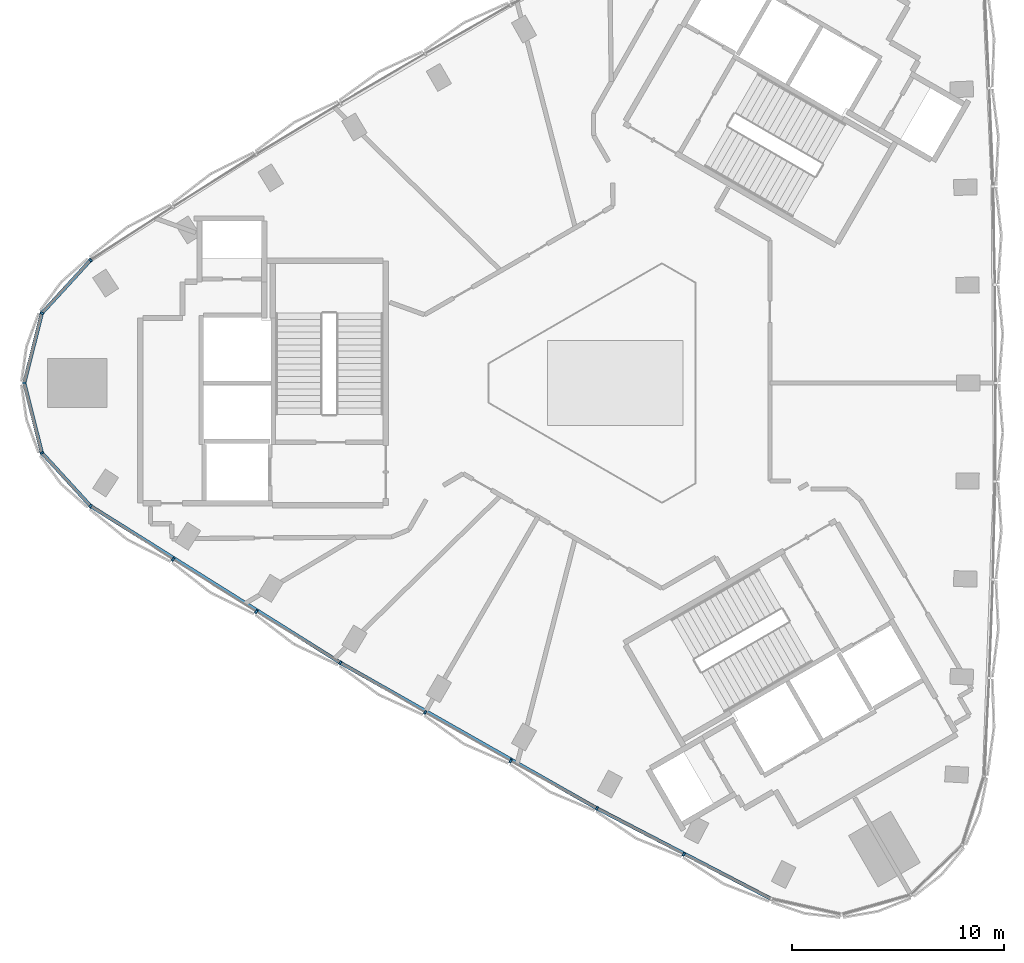
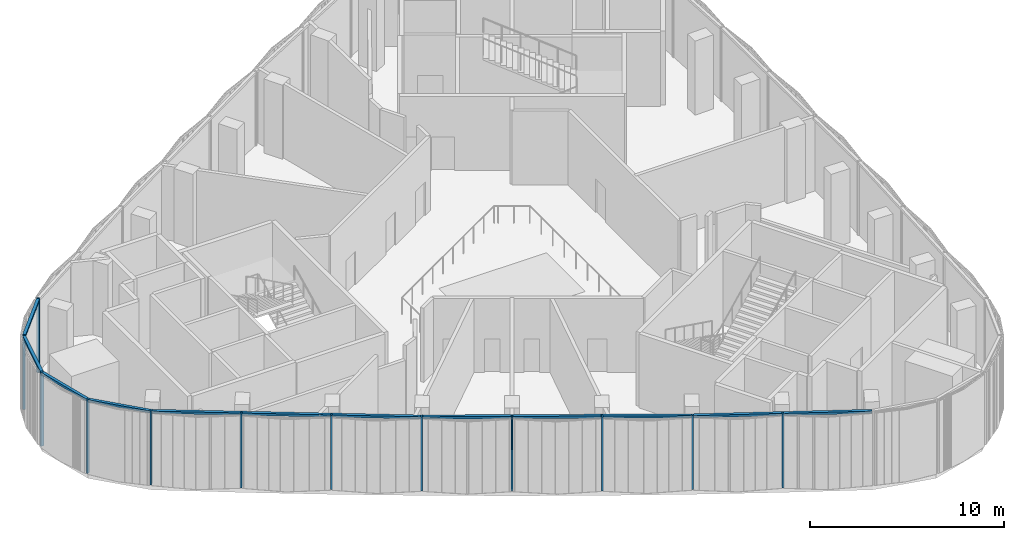
# One storey, part 2 of 15: 19 members, 2 elements without a shape of their own.
"""IFC4 building model written with IfcOpenShell, lengths in metres."""

from ifc_helpers import new_model, si_unit, direction, frame, origin, origin_2d, place, context, subcontext, project, spatial, rectangle, extrude, material, material_profile, profile_set, type_object, element, aggregate, save


model = new_model("IFC4")

# Units and contexts
model_context = context("Model", 3, precision=1e-05, world=origin(), true_north=direction((0.0, 1.0)))
body_context = subcontext(model_context, "Body", "Model", "MODEL_VIEW")
ifc_project = project(units=[si_unit("LENGTHUNIT", "METRE"), si_unit("AREAUNIT", "SQUARE_METRE"), si_unit("VOLUMEUNIT", "CUBIC_METRE"), si_unit("PLANEANGLEUNIT", "RADIAN"), si_unit("MASSUNIT", "GRAM", prefix="KILO")], contexts=[model_context])

# Site, building, storey
site_placement = place(None, origin())
site = spatial("IfcSite", under=ifc_project, at=site_placement, CompositionType="ELEMENT")
building_placement = place(site_placement, origin())
building = spatial("IfcBuilding", under=site, at=building_placement, Name="Tamra Quay Hotel Tower", CompositionType="ELEMENT")
storey_placement = place(building_placement, frame((0.0, 0.0, 216.39990234375)))
storey = spatial("IfcBuildingStorey", under=building, at=storey_placement, Name="L54", CompositionType="ELEMENT", Elevation=216.39990234375)

# Curtain wall, members
ifc_material = material(Name="Aluminium 6063 anodised dark grey", Category="aluminium")
curtain_wall_type_1 = type_object("IfcCurtainWallType", Name="CW2 CURTAIN WALL", PredefinedType="NOTDEFINED", material=ifc_material)
curtain_wall_1_placement = place(storey_placement, origin())
curtain_wall_1 = element("IfcCurtainWall", 1, at=curtain_wall_1_placement, inside=storey, type_object=curtain_wall_type_1, Name="CW2 north-west face L54", PredefinedType="NOTDEFINED")
ifc_material_profile_1 = material_profile(ifc_material, rectangle(XDim=0.169921875, YDim=0.10009765625, at=origin_2d()), Name="MULLION 100X170")
ifc_profile_set_1 = profile_set([ifc_material_profile_1], Name="Aluminium 6063 anodised dark grey")
member_type_1 = type_object("IfcMemberType", Name="MULLION CW2 Z5", PredefinedType="MULLION", material=ifc_profile_set_1)
member_1_placement = place(storey_placement, frame((-24.791015625, 5.8056640625, 0.0), z_axis=(0.0, 0.0, 1.0), x_axis=(-0.645846542905, 0.763467250782, 0.0)))
member_1 = element("IfcMember", 2, at=member_1_placement, type_object=member_type_1, Name="CW2 mullion L54.NW.9", PredefinedType="MULLION", context=body_context, shape_type="SweptSolid", body=[
    extrude(rectangle(XDim=0.169921875, YDim=0.10009765625, at=origin_2d()), origin(), (0.0, 0.0, 1.0), 4.650146484375),
])
member_2_placement = place(storey_placement, frame((-27.088134765625, 3.297607421875, 0.0), z_axis=(0.0, 0.0, 1.0), x_axis=(-0.880266804781, 0.474479032624, 0.0)))
member_2 = element("IfcMember", 3, at=member_2_placement, type_object=member_type_1, Name="CW2 mullion L54.NW.10", PredefinedType="MULLION", context=body_context, shape_type="SweptSolid", body=[
    extrude(rectangle(XDim=0.169921875, YDim=0.10009765625, at=origin_2d()), origin(), (0.0, 0.0, 1.0), 4.650146484375),
])
member_3_placement = place(storey_placement, frame((-27.92041015625, 0.0, 0.0), z_axis=(0.0, 0.0, 1.0), x_axis=(-1.0, 0.0, 0.0)))
member_3 = element("IfcMember", 4, at=member_3_placement, type_object=member_type_1, Name="CW2 mullion L54.NW.11", PredefinedType="MULLION", context=body_context, shape_type="SweptSolid", body=[
    extrude(rectangle(XDim=0.169921875, YDim=0.10009765625, at=origin_2d()), origin(), (0.0, 0.0, 1.0), 4.650146484375),
])
member_4_placement = place(storey_placement, frame((-27.088134765625, -3.297607421875, 0.0), z_axis=(0.0, 0.0, 1.0), x_axis=(-0.880266804781, -0.474479032624, 0.0)))
member_4 = element("IfcMember", 5, at=member_4_placement, type_object=member_type_1, Name="CW2 mullion L54.NW.12", PredefinedType="MULLION", context=body_context, shape_type="SweptSolid", body=[
    extrude(rectangle(XDim=0.169921875, YDim=0.10009765625, at=origin_2d()), origin(), (0.0, 0.0, 1.0), 4.650146484375),
])

curtain_wall_type_2 = type_object("IfcCurtainWallType", Name="CW3 CURTAIN WALL", PredefinedType="NOTDEFINED", material=ifc_material)
curtain_wall_2_placement = place(storey_placement, origin())
curtain_wall_2 = element("IfcCurtainWall", 6, at=curtain_wall_2_placement, inside=storey, type_object=curtain_wall_type_2, Name="CW3 south-west face L54", PredefinedType="NOTDEFINED")
ifc_material_profile_2 = material_profile(ifc_material, rectangle(XDim=0.169921875, YDim=0.10009765625, at=origin_2d()), Name="MULLION 100X170")
ifc_profile_set_2 = profile_set([ifc_material_profile_2], Name="Aluminium 6063 anodised dark grey")
member_type_2 = type_object("IfcMemberType", Name="MULLION CW3 Z5", PredefinedType="MULLION", material=ifc_profile_set_2)
member_5_placement = place(storey_placement, frame((-24.791015625, -5.8056640625, 0.0), z_axis=(0.0, 0.0, 1.0), x_axis=(-0.645846542905, -0.763467250782, 0.0)))
member_5 = element("IfcMember", 7, at=member_5_placement, type_object=member_type_2, Name="CW3 mullion L54.SW.1", PredefinedType="MULLION", context=body_context, shape_type="SweptSolid", body=[
    extrude(rectangle(XDim=0.169921875, YDim=0.10009765625, at=origin_2d()), origin(), (0.0, 0.0, 1.0), 4.650146484375),
])
member_6_placement = place(storey_placement, frame((-20.893798828125, -8.331298828125, 0.0), z_axis=(0.0, 0.0, 1.0), x_axis=(-0.537684519806, -0.843146106651, 0.0)))
member_6 = element("IfcMember", 8, at=member_6_placement, type_object=member_type_2, Name="CW3 mullion L54.SW.2", PredefinedType="MULLION", context=body_context, shape_type="SweptSolid", body=[
    extrude(rectangle(XDim=0.169921875, YDim=0.10009765625, at=origin_2d()), origin(), (0.0, 0.0, 1.0), 4.650146484375),
])
member_7_placement = place(storey_placement, frame((-16.95947265625, -10.7998046875, 0.0), z_axis=(0.0, 0.0, 1.0), x_axis=(-0.525249013277, -0.850948573094, 0.0)))
member_7 = element("IfcMember", 9, at=member_7_placement, type_object=member_type_2, Name="CW3 mullion L54.SW.3", PredefinedType="MULLION", context=body_context, shape_type="SweptSolid", body=[
    extrude(rectangle(XDim=0.169921875, YDim=0.10009765625, at=origin_2d()), origin(), (0.0, 0.0, 1.0), 4.650146484375),
])
member_8_placement = place(storey_placement, frame((-12.98974609375, -13.2099609375, 0.0), z_axis=(0.0, 0.0, 1.0), x_axis=(-0.512687472932, -0.858575305432, 0.0)))
member_8 = element("IfcMember", 10, at=member_8_placement, type_object=member_type_2, Name="CW3 mullion L54.SW.4", PredefinedType="MULLION", context=body_context, shape_type="SweptSolid", body=[
    extrude(rectangle(XDim=0.169921875, YDim=0.10009765625, at=origin_2d()), origin(), (0.0, 0.0, 1.0), 4.650146484375),
])
member_9_placement = place(storey_placement, frame((-8.984619140625, -15.56201171875, 0.0), z_axis=(0.0, 0.0, 1.0), x_axis=(-0.5, -0.866025403784, 0.0)))
member_9 = element("IfcMember", 11, at=member_9_placement, type_object=member_type_2, Name="CW3 mullion L54.SW.5", PredefinedType="MULLION", context=body_context, shape_type="SweptSolid", body=[
    extrude(rectangle(XDim=0.169921875, YDim=0.10009765625, at=origin_2d()), origin(), (0.0, 0.0, 1.0), 4.650146484375),
])
member_10_placement = place(storey_placement, frame((-4.9453125, -17.8544921875, 0.0), z_axis=(0.0, 0.0, 1.0), x_axis=(-0.4872042891, -0.873288028478, 0.0)))
member_10 = element("IfcMember", 12, at=member_10_placement, type_object=member_type_2, Name="CW3 mullion L54.SW.6", PredefinedType="MULLION", context=body_context, shape_type="SweptSolid", body=[
    extrude(rectangle(XDim=0.169921875, YDim=0.10009765625, at=origin_2d()), origin(), (0.0, 0.0, 1.0), 4.650146484375),
])
member_11_placement = place(storey_placement, frame((-0.873291015625, -20.087158203125, 0.0), z_axis=(0.0, 0.0, 1.0), x_axis=(-0.474318574975, -0.880353275358, 0.0)))
member_11 = element("IfcMember", 13, at=member_11_placement, type_object=member_type_2, Name="CW3 mullion L54.SW.7", PredefinedType="MULLION", context=body_context, shape_type="SweptSolid", body=[
    extrude(rectangle(XDim=0.169921875, YDim=0.10009765625, at=origin_2d()), origin(), (0.0, 0.0, 1.0), 4.650146484375),
])
member_12_placement = place(storey_placement, frame((3.231689453125, -22.26025390625, 0.0), z_axis=(0.0, 0.0, 1.0), x_axis=(-0.461343687559, -0.887221506699, 0.0)))
member_12 = element("IfcMember", 14, at=member_12_placement, type_object=member_type_2, Name="CW3 mullion L54.SW.8", PredefinedType="MULLION", context=body_context, shape_type="SweptSolid", body=[
    extrude(rectangle(XDim=0.169921875, YDim=0.10009765625, at=origin_2d()), origin(), (0.0, 0.0, 1.0), 4.650146484375),
])

# Member
ifc_material_profile_3 = material_profile(ifc_material, rectangle(XDim=0.169921875, YDim=0.139892578125, at=origin_2d()), Name="TRANSOM 170X140")
ifc_profile_set_3 = profile_set([ifc_material_profile_3], Name="Aluminium 6063 anodised dark grey")
member_type_3 = type_object("IfcMemberType", Name="TRANSOM CW2 Z5", PredefinedType="USERDEFINED", material=ifc_profile_set_3)
member_13_placement = place(storey_placement, frame((-24.824951171875, 5.768798828125, 4.580078125), z_axis=(-0.675399698541, -0.737451860945, 0.0), x_axis=(0.737451860945, -0.675399698541, 0.0)))
member_13 = element("IfcMember", 15, at=member_13_placement, type_object=member_type_3, Name="CW2 transom L54.NW.9", ObjectType="TRANSOM", PredefinedType="USERDEFINED", context=body_context, shape_type="SweptSolid", body=[
    extrude(rectangle(XDim=0.169921875, YDim=0.139892578125, at=origin_2d()), origin(), (0.0, 0.0, 1.0), 3.301025390625),
])

member_14_placement = place(storey_placement, frame((-27.100341796875, 3.249267578125, 4.580078125), z_axis=(-0.244727648368, -0.969591861622, 0.0), x_axis=(0.969591861622, -0.244727648368, 0.0)))
member_14 = element("IfcMember", 16, at=member_14_placement, type_object=member_type_3, Name="CW2 transom L54.NW.10", ObjectType="TRANSOM", PredefinedType="USERDEFINED", context=body_context, shape_type="SweptSolid", body=[
    extrude(rectangle(XDim=0.169921875, YDim=0.139892578125, at=origin_2d()), origin(), (0.0, 0.0, 1.0), 3.301025390625),
])

member_15_placement = place(storey_placement, frame((-27.908203125, -0.048583984375, 4.580078125), z_axis=(0.244727648368, -0.969591861622, 0.0), x_axis=(0.969591861622, 0.244727648368, 0.0)))
member_15 = element("IfcMember", 17, at=member_15_placement, type_object=member_type_3, Name="CW2 transom L54.NW.11", ObjectType="TRANSOM", PredefinedType="USERDEFINED", context=body_context, shape_type="SweptSolid", body=[
    extrude(rectangle(XDim=0.169921875, YDim=0.139892578125, at=origin_2d()), origin(), (0.0, 0.0, 1.0), 3.301025390625),
])

member_16_placement = place(storey_placement, frame((-27.054443359375, -3.33447265625, 4.580078125), z_axis=(0.675399698541, -0.737451860945, 0.0), x_axis=(0.737451860945, 0.675399698541, 0.0)))
member_16 = element("IfcMember", 18, at=member_16_placement, type_object=member_type_3, Name="CW2 transom L54.NW.12", ObjectType="TRANSOM", PredefinedType="USERDEFINED", context=body_context, shape_type="SweptSolid", body=[
    extrude(rectangle(XDim=0.169921875, YDim=0.139892578125, at=origin_2d()), origin(), (0.0, 0.0, 1.0), 3.301025390625),
])

aggregate(curtain_wall_1, [member_1, member_13, member_2, member_14, member_3, member_15, member_4, member_16])

ifc_material_profile_4 = material_profile(ifc_material, rectangle(XDim=0.169921875, YDim=0.139892578125, at=origin_2d()), Name="TRANSOM 170X140")
ifc_profile_set_4 = profile_set([ifc_material_profile_4], Name="Aluminium 6063 anodised dark grey")
member_type_4 = type_object("IfcMemberType", Name="TRANSOM CW3 Z5", PredefinedType="USERDEFINED", material=ifc_profile_set_4)
member_17_placement = place(storey_placement, frame((-24.7490234375, -5.832763671875, 4.580078125), z_axis=(0.847071840853, -0.531478406366, 0.0), x_axis=(0.531478406366, 0.847071840853, 0.0)))
member_17 = element("IfcMember", 19, at=member_17_placement, type_object=member_type_4, Name="CW3 transom L54.SW.1", ObjectType="TRANSOM", PredefinedType="USERDEFINED", context=body_context, shape_type="SweptSolid", body=[
    extrude(rectangle(XDim=0.169921875, YDim=0.139892578125, at=origin_2d()), origin(), (0.0, 0.0, 1.0), 13.831787109375),
])

member_18_placement = place(storey_placement, frame((-12.94677734375, -13.2353515625, 4.580078125), z_axis=(0.869676495156, -0.493622116373, 0.0), x_axis=(0.493622116373, 0.869676495156, 0.0)))
member_18 = element("IfcMember", 20, at=member_18_placement, type_object=member_type_4, Name="CW3 transom L54.SW.4", ObjectType="TRANSOM", PredefinedType="USERDEFINED", context=body_context, shape_type="SweptSolid", body=[
    extrude(rectangle(XDim=0.169921875, YDim=0.139892578125, at=origin_2d()), origin(), (0.0, 0.0, 1.0), 13.832275390625),
])

member_19_placement = place(storey_placement, frame((-0.8291015625, -20.110595703125, 4.580078125), z_axis=(0.887215061148, -0.461356082947, 0.0), x_axis=(0.461356082947, 0.887215061148, 0.0)))
member_19 = element("IfcMember", 21, at=member_19_placement, type_object=member_type_4, Name="CW3 transom L54.SW.7", ObjectType="TRANSOM", PredefinedType="USERDEFINED", context=body_context, shape_type="SweptSolid", body=[
    extrude(rectangle(XDim=0.169921875, YDim=0.139892578125, at=origin_2d()), origin(), (0.0, 0.0, 1.0), 9.188720703125),
])

aggregate(curtain_wall_2, [member_5, member_17, member_6, member_7, member_8, member_18, member_9, member_10, member_11, member_19, member_12])

save(model, "model.ifc")
